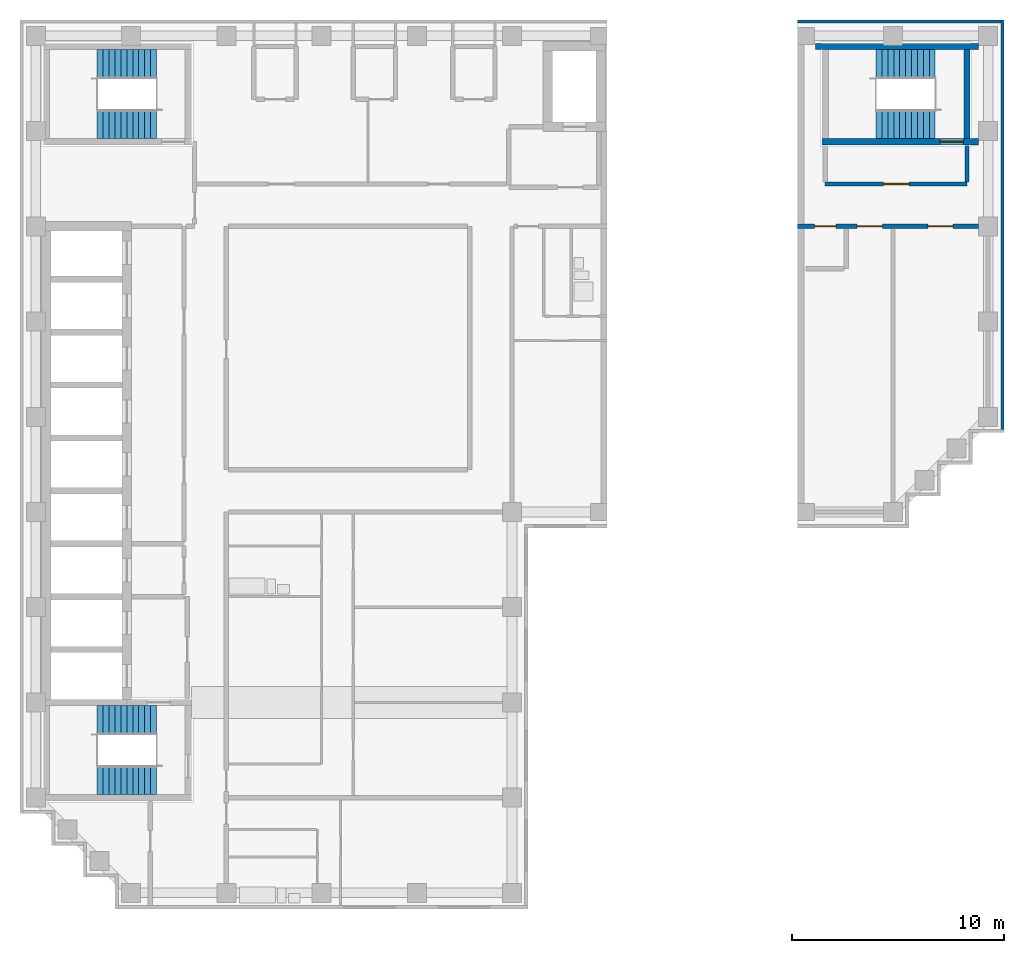
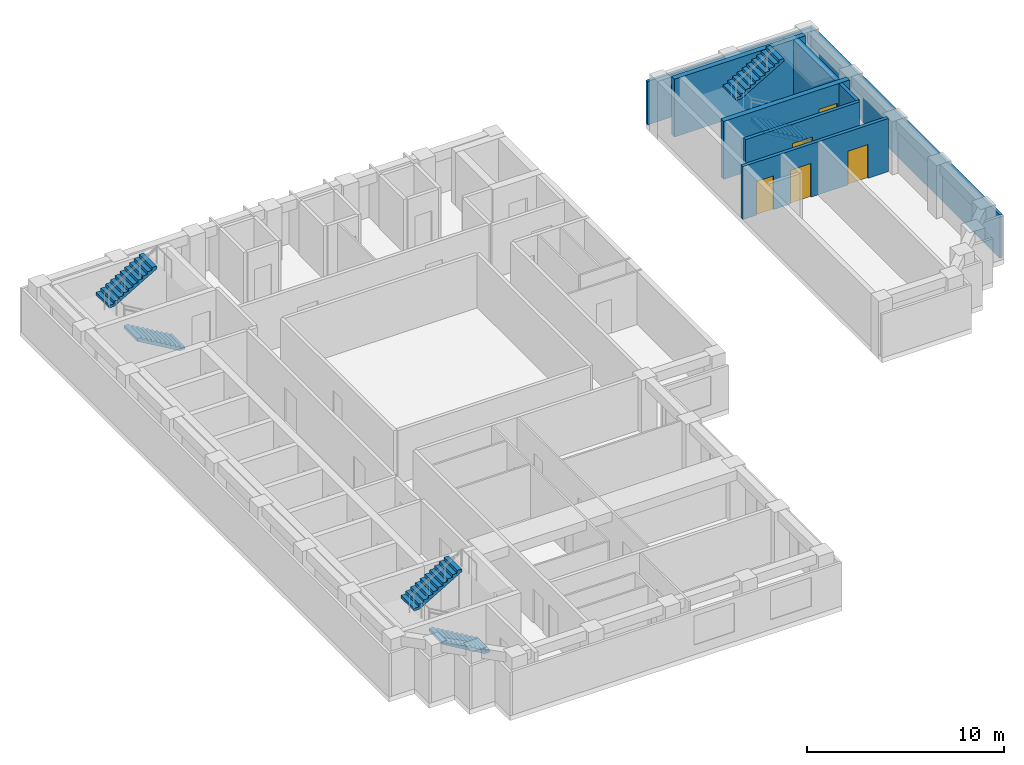
# One storey, part 5 of 7: 8 walls, 6 stair flights, 5 doors, 5 openings, 3 elements without a shape of their own.
"""IFC4 building model written with IfcOpenShell, lengths in metres."""

import ifcopenshell
import ifcopenshell.guid

model = None  # the IFC model being written
_history = None  # IfcOwnerHistory: only IFC2X3 demands one
_inside = {}  # id of a spatial element -> (the spatial element, [elements in it])
_under = {}  # id of a project, library or spatial element -> (it, [spatial elements below it])
_declared = {}  # id of a project -> (the project, [libraries it declares])
_typed = {}  # id of a type object -> (the type object, [elements of that type])
_made_of = {}  # id of a material, layer set ... -> (it, [elements and type objects made of it])


def new_model(schema):
    """Start an empty IFC model of exactly this schema.

    Asked for "IFC4X3", IfcOpenShell would pick the latest addendum, in which some entities
    have other attributes; the version numbers below select the first issue.
    IFC2X3 requires an IfcOwnerHistory on every rooted entity: one is made here for all.
    """
    global model, _history
    if schema == "IFC4X3":
        model = ifcopenshell.file(schema_version=(4, 3, 0, 0))
    else:
        model = ifcopenshell.file(schema=schema)
    _inside.clear()
    _under.clear()
    _declared.clear()
    _typed.clear()
    _made_of.clear()
    _history = None
    if model.schema == "IFC2X3":
        org = make("IfcOrganization", Name="unknown")
        user = make(
            "IfcPersonAndOrganization",
            ThePerson=make("IfcPerson", FamilyName="unknown"),
            TheOrganization=org,
        )
        app = make(
            "IfcApplication",
            ApplicationDeveloper=org,
            Version="unknown",
            ApplicationFullName="unknown",
            ApplicationIdentifier="unknown",
        )
        _history = make(
            "IfcOwnerHistory",
            OwningUser=user,
            OwningApplication=app,
            ChangeAction="ADDED",
            CreationDate=0,
        )
    return model


def make(cls, **values):
    """One entity of the class cls with the attributes given. An attribute that is None is left unset."""
    return model.create_entity(
        cls, **{name: value for name, value in values.items() if value is not None}
    )


def rooted(cls, **values):
    """An entity with a GlobalId (a new one), such as an element, a storey or a relation."""
    return make(cls, GlobalId=ifcopenshell.guid.new(), OwnerHistory=_history, **values)


def si_unit(unit_type, name, prefix=None):
    """IfcSIUnit, for example si_unit("LENGTHUNIT", "METRE", prefix="MILLI")."""
    return make("IfcSIUnit", UnitType=unit_type, Prefix=prefix, Name=name)


def assignment(units):
    """IfcUnitAssignment: the units of a project."""
    return None if units is None else make("IfcUnitAssignment", Units=units)


def point(xyz):
    """IfcCartesianPoint."""
    return None if xyz is None else make("IfcCartesianPoint", Coordinates=xyz)


def direction(xyz):
    """IfcDirection."""
    return None if xyz is None else make("IfcDirection", DirectionRatios=xyz)


def frame(location, z_axis=None, x_axis=None):
    """IfcAxis2Placement3D, a coordinate frame: its origin and axes. An axis left out is left unset."""
    return make(
        "IfcAxis2Placement3D",
        Location=point(location),
        Axis=direction(z_axis),
        RefDirection=direction(x_axis),
    )


def frame_2d(location, x_axis=None):
    """IfcAxis2Placement2D, a coordinate frame in the plane: its origin and x axis."""
    return make(
        "IfcAxis2Placement2D", Location=point(location), RefDirection=direction(x_axis)
    )


def origin():
    """The frame at (0, 0, 0) with its axes left unset."""
    return frame((0.0, 0.0, 0.0))


def place(relative_to, where):
    """IfcLocalPlacement: puts the frame where relative to a parent placement (None: the world)."""
    return make(
        "IfcLocalPlacement", PlacementRelTo=relative_to, RelativePlacement=where
    )


def context(
    kind, dimensions, precision=None, world=None, true_north=None, identifier=None
):
    """IfcGeometricRepresentationContext, for example the 3D "Model" context."""
    return make(
        "IfcGeometricRepresentationContext",
        ContextIdentifier=identifier,
        ContextType=kind,
        CoordinateSpaceDimension=dimensions,
        Precision=precision,
        WorldCoordinateSystem=world,
        TrueNorth=true_north,
    )


def subcontext(parent, identifier, kind, view, scale=None):
    """IfcGeometricRepresentationSubContext, for example "Body" below "Model"."""
    return make(
        "IfcGeometricRepresentationSubContext",
        ContextIdentifier=identifier,
        ContextType=kind,
        ParentContext=parent,
        TargetScale=scale,
        TargetView=view,
    )


def project(units=None, contexts=None):
    """IfcProject with its units and contexts."""
    return rooted(
        "IfcProject",
        Name="project",
        RepresentationContexts=contexts,
        UnitsInContext=assignment(units),
    )


def spatial(cls, under=None, at=None, **own):
    """A site, building, storey or space (cls), placed at a placement, below another one or the project."""
    s = rooted(cls, ObjectPlacement=at, **own)
    if under is not None:
        _under.setdefault(under.id(), (under, []))[1].append(s)
    return s


def polyline(points):
    """IfcPolyline through the points."""
    return make("IfcPolyline", Points=[point(p) for p in points])


def profile(cls, at=None, kind="AREA", **sizes):
    """A parametric profile (cls). Its sizes go by their IFC names, for example OverallWidth=200.0."""
    return make(cls, ProfileType=kind, Position=at, **sizes)


def rectangle(**sizes):
    """IfcRectangleProfileDef."""
    return profile("IfcRectangleProfileDef", **sizes)


def outline(outer, holes=None, kind="AREA"):
    """IfcArbitraryClosedProfileDef: a profile drawn as a closed curve; with holes, ...WithVoids."""
    if holes is None:
        return make("IfcArbitraryClosedProfileDef", ProfileType=kind, OuterCurve=outer)
    return make(
        "IfcArbitraryProfileDefWithVoids",
        ProfileType=kind,
        OuterCurve=outer,
        InnerCurves=holes,
    )


def extrude(swept, where, along, depth):
    """IfcExtrudedAreaSolid: the profile swept, set in the frame where, extruded along a direction by depth."""
    return make(
        "IfcExtrudedAreaSolid",
        SweptArea=swept,
        Position=where,
        ExtrudedDirection=direction(along),
        Depth=depth,
    )


def shape(context_of_items, identifier, shape_type, items):
    """IfcShapeRepresentation: the items that make up one representation, for example the "Body"."""
    return make(
        "IfcShapeRepresentation",
        ContextOfItems=context_of_items,
        RepresentationIdentifier=identifier,
        RepresentationType=shape_type,
        Items=items,
    )


def material(Name=None, Category=None):
    """IfcMaterial."""
    return make("IfcMaterial", Name=Name, Category=Category)


def layer(
    of_material, thickness, ventilated=None, Name=None, Category=None, Priority=None
):
    """IfcMaterialLayer: one layer of a wall or slab, of a material (None: an air gap)."""
    return make(
        "IfcMaterialLayer",
        Material=of_material,
        LayerThickness=thickness,
        IsVentilated=ventilated,
        Name=Name,
        Category=Category,
        Priority=Priority,
    )


def layer_set(layers, Name=None):
    """IfcMaterialLayerSet."""
    return make("IfcMaterialLayerSet", MaterialLayers=layers, LayerSetName=Name)


def made_of(thing, what):
    """Note that an element or type object is made of a material, layer set ...; save() writes the relation."""
    if what is not None:
        _made_of.setdefault(what.id(), (what, []))[1].append(thing)
    return thing


def type_object(cls, material=None, **own):
    """A type object (cls), such as IfcWallType, which elements share."""
    return made_of(rooted(cls, **own), material)


def element(
    cls,
    number,
    at=None,
    inside=None,
    cuts=None,
    type_object=None,
    material=None,
    context=None,
    identifier="Body",
    shape_type=None,
    held_by="IfcProductDefinitionShape",
    body=None,
    shapes=None,
    **own,
):
    """One element of the class cls, such as IfcWall. Its Tag is "e" and its number.

    at: its placement. inside: the storey or other place that contains it. cuts: it is an
    opening in that element (IfcRelVoidsElement). A single representation is given by context,
    identifier, shape_type and body (its items); several are given by shapes. held_by: the class
    of the entity that holds the representations. save() writes the other relations.
    """
    e = rooted(cls, Tag="e%d" % number, ObjectPlacement=at, **own)
    if body is not None:
        shapes = [shape(context, identifier, shape_type, body)]
    if shapes is not None:
        e.Representation = make(held_by, Representations=shapes)
    if inside is not None:
        _inside.setdefault(inside.id(), (inside, []))[1].append(e)
    if cuts is not None:
        rooted(
            "IfcRelVoidsElement", RelatingBuildingElement=cuts, RelatedOpeningElement=e
        )
    if type_object is not None:
        _typed.setdefault(type_object.id(), (type_object, []))[1].append(e)
    return made_of(e, material)


def fill(opening, filler):
    """IfcRelFillsElement: the door or window that sits in an opening."""
    return rooted(
        "IfcRelFillsElement",
        RelatingOpeningElement=opening,
        RelatedBuildingElement=filler,
    )


def aggregate(whole, parts):
    """IfcRelAggregates: a whole, such as a stair, and the parts it consists of."""
    return rooted("IfcRelAggregates", RelatingObject=whole, RelatedObjects=parts)


def save(model, path):
    """Write the relations noted so far, then the file.

    IfcRelAggregates (storeys below a building ...), IfcRelContainedInSpatialStructure (elements
    in a storey), IfcRelDefinesByType, IfcRelAssociatesMaterial and IfcRelDeclares: one each for
    every whole, place, type object, material and project.
    """
    for whole, parts in _under.values():
        aggregate(whole, parts)
    for where, things in _inside.values():
        rooted(
            "IfcRelContainedInSpatialStructure",
            RelatedElements=things,
            RelatingStructure=where,
        )
    for kind, things in _typed.values():
        rooted("IfcRelDefinesByType", RelatedObjects=things, RelatingType=kind)
    for what, things in _made_of.values():
        rooted("IfcRelAssociatesMaterial", RelatedObjects=things, RelatingMaterial=what)
    for by, libraries in _declared.values():
        rooted("IfcRelDeclares", RelatingContext=by, RelatedDefinitions=libraries)
    model.write(path)


model = new_model("IFC4")

# Units and contexts
model_context = context("Model", 3, precision=1e-05, world=origin(), true_north=direction((0.0, 1.0)))
body_context = subcontext(model_context, "Body", "Model", "MODEL_VIEW")
ifc_project = project(units=[si_unit("LENGTHUNIT", "METRE"), si_unit("AREAUNIT", "SQUARE_METRE"), si_unit("VOLUMEUNIT", "CUBIC_METRE"), si_unit("PLANEANGLEUNIT", "RADIAN"), si_unit("MASSUNIT", "GRAM", prefix="KILO")], contexts=[model_context])

# Site, building, storey
site_placement = place(None, origin())
site = spatial("IfcSite", under=ifc_project, at=site_placement, CompositionType="ELEMENT")
building_placement = place(site_placement, origin())
building = spatial("IfcBuilding", under=site, at=building_placement, Name="Firuza Court", CompositionType="ELEMENT")
storey_placement = place(building_placement, frame((0.0, 0.0, 243.800048828125)))
storey = spatial("IfcBuildingStorey", under=building, at=storey_placement, Name="L63", CompositionType="ELEMENT", Elevation=243.800048828125)

# Wall
ifc_material_1 = material(Name="Concrete C50/60", Category="concrete")
ifc_layer_1 = layer(ifc_material_1, 0.300048828125)
ifc_layer_set_1 = layer_set([ifc_layer_1], Name="Concrete C50/60")
wall_type_1 = type_object("IfcWallType", Name="Core wall 300 C50/60", PredefinedType="SHEAR", material=ifc_layer_set_1)
wall_1_placement = place(storey_placement, frame((36.85009765625, 58.0, -0.300048828125), z_axis=(0.0, 0.0, 1.0), x_axis=(1.0, 0.0, 0.0)))
element("IfcWall", 1, at=wall_1_placement, inside=storey, type_object=wall_type_1, Name="Core wall stair L63", PredefinedType="SHEAR", context=body_context, shape_type="SweptSolid", body=[
    extrude(rectangle(XDim=7.699951171875, YDim=0.300048828125, at=frame_2d((3.85009765625, 0.0))), origin(), (0.0, 0.0, 1.0), 3.60009765625),
])

# Wall, opening, door
wall_2_placement = place(storey_placement, frame((37.14990234375, 53.5, -0.300048828125), z_axis=(0.0, 0.0, 1.0), x_axis=(1.0, 0.0, 0.0)))
wall_2 = element("IfcWall", 2, at=wall_2_placement, inside=storey, type_object=wall_type_1, Name="Core wall stair L63", PredefinedType="SHEAR", context=body_context, shape_type="SweptSolid", body=[
    extrude(rectangle(XDim=7.400146484375, YDim=0.300048828125, at=frame_2d((3.7001953125, 0.0))), origin(), (0.0, 0.0, 1.0), 3.60009765625),
])
opening_1_placement = place(wall_2_placement, frame((5.580078125, 0.0, 0.300048828125)))
opening_1 = element("IfcOpeningElement", 3, at=opening_1_placement, cuts=wall_2, Name="Opening D63008", PredefinedType="OPENING", context=body_context, shape_type="SweptSolid", body=[
    extrude(rectangle(XDim=1.10009765625, YDim=2.10009765625, at=frame_2d((0.550048828125, 1.050048828125))), frame((0.0, 0.162109375, 0.0), z_axis=(0.0, -1.0, 0.0), x_axis=(1.0, 0.0, 0.0)), (0.0, 0.0, 1.0), 0.323974609375),
])
ifc_material_2 = material(Name="Timber door leaf in hardwood frame", Category="wood")
door_type_1 = type_object("IfcDoorType", Name="Stair door 1100", OperationType="SINGLE_SWING_LEFT", PredefinedType="DOOR", material=ifc_material_2)
door_1_placement = place(opening_1_placement, origin())
door_1 = element("IfcDoor", 4, at=door_1_placement, inside=storey, type_object=door_type_1, Name="Stair door S1", OperationType="SINGLE_SWING_RIGHT", OverallHeight=2.10009765625, OverallWidth=1.10009765625, PredefinedType="DOOR", context=body_context, shape_type="SweptSolid", body=[
    extrude(rectangle(XDim=1.10009765625, YDim=2.10009765625, at=frame_2d((0.550048828125, 1.050048828125))), frame((0.0, 0.02490234375, 0.0), z_axis=(0.0, -1.0, 0.0), x_axis=(1.0, 0.0, 0.0)), (0.0, 0.0, 1.0), 0.050048828125),
])
fill(opening_1, door_1)

# Wall
wall_3_placement = place(storey_placement, frame((44.0, 53.64990234375, -0.300048828125), z_axis=(0.0, 0.0, 1.0), x_axis=(0.0, 1.0, 0.0)))
element("IfcWall", 5, at=wall_3_placement, inside=storey, type_object=wall_type_1, Name="Core wall stair L63", PredefinedType="SHEAR", context=body_context, shape_type="SweptSolid", body=[
    extrude(rectangle(XDim=4.2001953125, YDim=0.300048828125, at=frame_2d((2.10009765625, 0.0))), origin(), (0.0, 0.0, 1.0), 3.60009765625),
])

# Wall, openings, doors
ifc_material_3 = material(Name="Blockwork, plastered both sides", Category="masonry")
ifc_layer_2 = layer(ifc_material_3, 0.199951171875)
ifc_layer_set_2 = layer_set([ifc_layer_2], Name="Blockwork, plastered both sides")
wall_type_2 = type_object("IfcWallType", Name="Corridor wall 200", PredefinedType="PARTITIONING", material=ifc_layer_set_2)
wall_4_placement = place(storey_placement, frame((36.0, 49.5, 0.0), z_axis=(0.0, 0.0, 1.0), x_axis=(1.0, 0.0, 0.0)))
wall_4 = element("IfcWall", 6, at=wall_4_placement, inside=storey, type_object=wall_type_2, Name="Corridor wall 200 L63", PredefinedType="PARTITIONING", context=body_context, shape_type="SweptSolid", body=[
    extrude(rectangle(XDim=8.550048828125, YDim=0.199951171875, at=frame_2d((4.27490234375, 0.0))), origin(), (0.0, 0.0, 1.0), 3.300048828125),
])
opening_2_placement = place(wall_4_placement, frame((2.800048828125, 0.0, 0.0)))
opening_2 = element("IfcOpeningElement", 7, at=opening_2_placement, cuts=wall_4, Name="Opening D63029", PredefinedType="OPENING", context=body_context, shape_type="SweptSolid", body=[
    extrude(rectangle(XDim=1.199951171875, YDim=2.10009765625, at=frame_2d((0.60009765625, 1.050048828125))), frame((0.0, 0.11181640625, 0.0), z_axis=(0.0, -1.0, 0.0), x_axis=(1.0, 0.0, 0.0)), (0.0, 0.0, 1.0), 0.223876953125),
])
opening_3_placement = place(wall_4_placement, frame((6.14990234375, 0.0, 0.0)))
opening_3 = element("IfcOpeningElement", 8, at=opening_3_placement, cuts=wall_4, Name="Opening D63030", PredefinedType="OPENING", context=body_context, shape_type="SweptSolid", body=[
    extrude(rectangle(XDim=1.199951171875, YDim=2.10009765625, at=frame_2d((0.60009765625, 1.050048828125))), frame((0.0, 0.11181640625, 0.0), z_axis=(0.0, -1.0, 0.0), x_axis=(1.0, 0.0, 0.0)), (0.0, 0.0, 1.0), 0.223876953125),
])
opening_4_placement = place(wall_4_placement, frame((0.800048828125, 0.0, 0.0)))
opening_4 = element("IfcOpeningElement", 9, at=opening_4_placement, cuts=wall_4, Name="Opening D63031", PredefinedType="OPENING", context=body_context, shape_type="SweptSolid", body=[
    extrude(rectangle(XDim=1.0, YDim=2.10009765625, at=frame_2d((0.5, 1.050048828125))), frame((0.0, 0.11181640625, 0.0), z_axis=(0.0, -1.0, 0.0), x_axis=(1.0, 0.0, 0.0)), (0.0, 0.0, 1.0), 0.223876953125),
])
ifc_material_4 = material(Name="Timber door leaf in hardwood frame", Category="wood")
door_type_2 = type_object("IfcDoorType", Name="Plant room door 1200", OperationType="SINGLE_SWING_LEFT", PredefinedType="DOOR", material=ifc_material_4)
door_2_placement = place(opening_2_placement, frame((1.199951171875, 0.0, 0.0), z_axis=(0.0, 0.0, 1.0), x_axis=(-1.0, 0.0, 0.0)))
door_2 = element("IfcDoor", 10, at=door_2_placement, inside=storey, type_object=door_type_2, Name="Plant door", OperationType="SINGLE_SWING_RIGHT", OverallHeight=2.10009765625, OverallWidth=1.199951171875, PredefinedType="DOOR", context=body_context, shape_type="SweptSolid", body=[
    extrude(rectangle(XDim=1.199951171875, YDim=2.10009765625, at=frame_2d((0.60009765625, 1.050048828125))), frame((0.0, 0.02490234375, 0.0), z_axis=(0.0, -1.0, 0.0), x_axis=(1.0, 0.0, 0.0)), (0.0, 0.0, 1.0), 0.050048828125),
])
fill(opening_2, door_2)
door_3_placement = place(opening_3_placement, frame((1.199951171875, 0.0, 0.0), z_axis=(0.0, 0.0, 1.0), x_axis=(-1.0, 0.0, 0.0)))
door_3 = element("IfcDoor", 11, at=door_3_placement, inside=storey, type_object=door_type_2, Name="Plant door", OperationType="SINGLE_SWING_LEFT", OverallHeight=2.10009765625, OverallWidth=1.199951171875, PredefinedType="DOOR", context=body_context, shape_type="SweptSolid", body=[
    extrude(rectangle(XDim=1.199951171875, YDim=2.10009765625, at=frame_2d((0.60009765625, 1.050048828125))), frame((0.0, 0.02490234375, 0.0), z_axis=(0.0, -1.0, 0.0), x_axis=(1.0, 0.0, 0.0)), (0.0, 0.0, 1.0), 0.050048828125),
])
fill(opening_3, door_3)
ifc_material_5 = material(Name="Timber door leaf in hardwood frame", Category="wood")
door_type_3 = type_object("IfcDoorType", Name="Riser door 1000", OperationType="SINGLE_SWING_LEFT", PredefinedType="DOOR", material=ifc_material_5)
door_4_placement = place(opening_4_placement, frame((1.0, 0.0, 0.0), z_axis=(0.0, 0.0, 1.0), x_axis=(-1.0, 0.0, 0.0)))
door_4 = element("IfcDoor", 12, at=door_4_placement, inside=storey, type_object=door_type_3, Name="Comms riser door", OperationType="SINGLE_SWING_RIGHT", OverallHeight=2.10009765625, OverallWidth=1.0, PredefinedType="DOOR", context=body_context, shape_type="SweptSolid", body=[
    extrude(rectangle(XDim=1.0, YDim=2.10009765625, at=frame_2d((0.5, 1.050048828125))), frame((0.0, 0.02490234375, 0.0), z_axis=(0.0, -1.0, 0.0), x_axis=(1.0, 0.0, 0.0)), (0.0, 0.0, 1.0), 0.050048828125),
])
fill(opening_4, door_4)

# Walls
ifc_material_6 = material(Name="Ceramic tile", Category="ceramic")
ifc_layer_3 = layer(ifc_material_6, 0.02001953125)
ifc_material_7 = material(Name="Mineral wool insulation", Category="insulation")
ifc_layer_4 = layer(ifc_material_7, 0.050048828125)
ifc_material_8 = material(Name="Concrete C40/50 precast", Category="concrete")
ifc_layer_5 = layer(ifc_material_8, 0.080078125)
ifc_layer_set_3 = layer_set([ifc_layer_3, ifc_layer_4, ifc_layer_5], Name="Concrete C40/50 precast")
wall_type_3 = type_object("IfcWallType", Name="Precast cladding wall with turquoise TILE PANEL face 150", PredefinedType="STANDARD", material=ifc_layer_set_3)
wall_5_placement = place(storey_placement, frame((45.675048828125, 39.89990234375, 0.0), z_axis=(0.0, 0.0, 1.0), x_axis=(0.0, 1.0, 0.0)))
element("IfcWall", 13, at=wall_5_placement, inside=storey, type_object=wall_type_3, Name="Facade wall L63 E", PredefinedType="STANDARD", context=body_context, shape_type="SweptSolid", body=[
    extrude(rectangle(XDim=19.35009765625, YDim=0.14990234375, at=frame_2d((9.675048828125, 0.0))), origin(), (0.0, 0.0, 1.0), 2.699951171875),
])
wall_6_placement = place(storey_placement, frame((45.60009765625, 59.175048828125, 0.0), z_axis=(0.0, 0.0, 1.0), x_axis=(-1.0, 0.0, 0.0)))
element("IfcWall", 14, at=wall_6_placement, inside=storey, type_object=wall_type_3, Name="Facade wall L63 N", PredefinedType="STANDARD", context=body_context, shape_type="SweptSolid", body=[
    extrude(rectangle(XDim=9.60009765625, YDim=0.14990234375, at=frame_2d((4.800048828125, 0.0))), origin(), (0.0, 0.0, 1.0), 2.699951171875),
])

# Wall, opening, door
ifc_material_9 = material(Name="Blockwork, fire-rated", Category="masonry")
ifc_layer_6 = layer(ifc_material_9, 0.199951171875)
ifc_layer_set_4 = layer_set([ifc_layer_6], Name="Blockwork, fire-rated")
wall_type_4 = type_object("IfcWallType", Name="Shaft wall 200", PredefinedType="PARTITIONING", material=ifc_layer_set_4)
wall_7_placement = place(storey_placement, frame((37.300048828125, 51.5, 0.0), z_axis=(0.0, 0.0, 1.0), x_axis=(1.0, 0.0, 0.0)))
wall_7 = element("IfcWall", 15, at=wall_7_placement, inside=storey, type_object=wall_type_4, Name="Shaft wall 200 L63", PredefinedType="PARTITIONING", context=body_context, shape_type="SweptSolid", body=[
    extrude(rectangle(XDim=6.699951171875, YDim=0.199951171875, at=frame_2d((3.35009765625, 0.0))), origin(), (0.0, 0.0, 1.0), 3.300048828125),
])
opening_5_placement = place(wall_7_placement, frame((2.75, 0.0, 0.0)))
opening_5 = element("IfcOpeningElement", 16, at=opening_5_placement, cuts=wall_7, Name="Opening D63006", PredefinedType="OPENING", context=body_context, shape_type="SweptSolid", body=[
    extrude(rectangle(XDim=1.199951171875, YDim=2.10009765625, at=frame_2d((0.60009765625, 1.050048828125))), frame((0.0, 0.11181640625, 0.0), z_axis=(0.0, -1.0, 0.0), x_axis=(1.0, 0.0, 0.0)), (0.0, 0.0, 1.0), 0.223876953125),
])
ifc_material_10 = material(Name="Timber door leaf in hardwood frame", Category="wood")
door_type_4 = type_object("IfcDoorType", Name="Lobby door 1200", OperationType="SINGLE_SWING_LEFT", PredefinedType="DOOR", material=ifc_material_10)
door_5_placement = place(opening_5_placement, origin())
door_5 = element("IfcDoor", 17, at=door_5_placement, inside=storey, type_object=door_type_4, Name="Lobby door", OperationType="SINGLE_SWING_LEFT", OverallHeight=2.10009765625, OverallWidth=1.199951171875, PredefinedType="DOOR", context=body_context, shape_type="SweptSolid", body=[
    extrude(rectangle(XDim=1.199951171875, YDim=2.10009765625, at=frame_2d((0.60009765625, 1.050048828125))), frame((0.0, 0.02490234375, 0.0), z_axis=(0.0, -1.0, 0.0), x_axis=(1.0, 0.0, 0.0)), (0.0, 0.0, 1.0), 0.050048828125),
])
fill(opening_5, door_5)

# Wall
wall_8_placement = place(storey_placement, frame((44.0, 51.60009765625, 0.0), z_axis=(0.0, 0.0, 1.0), x_axis=(0.0, 1.0, 0.0)))
element("IfcWall", 18, at=wall_8_placement, inside=storey, type_object=wall_type_4, Name="Shaft wall 200 L63", PredefinedType="PARTITIONING", context=body_context, shape_type="SweptSolid", body=[
    extrude(rectangle(XDim=1.72998046875, YDim=0.199951171875, at=frame_2d((0.864990234375, 0.0))), origin(), (0.0, 0.0, 1.0), 3.300048828125),
])

# Stair, stair flights
ifc_material_11 = material(Name="Concrete C40/50 precast", Category="concrete")
stair_type = type_object("IfcStairType", Name="Stair 1350 x 3600 2 flights", PredefinedType="HALF_TURN_STAIR", material=ifc_material_11)
stair_1_placement = place(storey_placement, origin())
stair_1 = element("IfcStair", 19, at=stair_1_placement, inside=storey, type_object=stair_type, Name="Stair 1 L63", PredefinedType="HALF_TURN_STAIR")
ifc_material_12 = material(Name="Concrete C40/50 precast", Category="concrete")
stair_flight_type = type_object("IfcStairFlightType", Name="Flight 1350 riser 163.6", PredefinedType="STRAIGHT", material=ifc_material_12)
stair_flight_1_placement = place(storey_placement, frame((42.5, 54.324951171875, 0.0), z_axis=(0.0, 0.0, 1.0), x_axis=(-1.0, 0.0, 0.0)))
stair_flight_1 = element("IfcStairFlight", 20, at=stair_flight_1_placement, type_object=stair_flight_type, Name="S1 flight 1", NumberOfRisers=11, NumberOfTreads=10, PredefinedType="STRAIGHT", RiserHeight=0.163636364, TreadLength=0.28, context=body_context, shape_type="SweptSolid", body=[
    extrude(outline(polyline([(0.0, 0.0), (0.0, 0.16357421875), (0.280029296875, 0.16357421875), (0.280029296875, 0.327392578125), (0.56005859375, 0.327392578125), (0.56005859375, 0.490966796875), (0.840087890625, 0.490966796875), (0.840087890625, 0.654541015625), (1.1201171875, 0.654541015625), (1.1201171875, 0.818115234375), (1.39990234375, 0.818115234375), (1.39990234375, 0.98193359375), (1.679931640625, 0.98193359375), (1.679931640625, 1.1455078125), (1.9599609375, 1.1455078125), (1.9599609375, 1.30908203125), (2.239990234375, 1.30908203125), (2.239990234375, 1.47265625), (2.52001953125, 1.47265625), (2.52001953125, 1.636474609375), (2.800048828125, 1.636474609375), (2.800048828125, 1.800048828125), (2.800048828125, 1.462646484375), (0.297119140625, 0.0), (0.0, 0.0)])), frame((0.0, 0.675048828125, 0.0), z_axis=(0.0, -1.0, 0.0), x_axis=(1.0, 0.0, 0.0)), (0.0, 0.0, 1.0), 1.35009765625),
])
stair_flight_2_placement = place(storey_placement, frame((39.699951171875, 57.175048828125, 1.800048828125), z_axis=(0.0, 0.0, 1.0), x_axis=(1.0, 0.0, 0.0)))
stair_flight_2 = element("IfcStairFlight", 21, at=stair_flight_2_placement, type_object=stair_flight_type, Name="S1 flight 2", NumberOfRisers=11, NumberOfTreads=10, PredefinedType="STRAIGHT", RiserHeight=0.163636364, TreadLength=0.28, context=body_context, shape_type="SweptSolid", body=[
    extrude(outline(polyline([(0.0, 0.0), (0.0, 0.16357421875), (0.280029296875, 0.16357421875), (0.280029296875, 0.327392578125), (0.56005859375, 0.327392578125), (0.56005859375, 0.490966796875), (0.840087890625, 0.490966796875), (0.840087890625, 0.654541015625), (1.1201171875, 0.654541015625), (1.1201171875, 0.818115234375), (1.39990234375, 0.818115234375), (1.39990234375, 0.98193359375), (1.679931640625, 0.98193359375), (1.679931640625, 1.1455078125), (1.9599609375, 1.1455078125), (1.9599609375, 1.30908203125), (2.239990234375, 1.30908203125), (2.239990234375, 1.47265625), (2.52001953125, 1.47265625), (2.52001953125, 1.636474609375), (2.800048828125, 1.636474609375), (2.800048828125, 1.800048828125), (2.800048828125, 1.462646484375), (0.297119140625, 0.0), (0.0, 0.0)])), frame((0.0, 0.675048828125, 0.0), z_axis=(0.0, -1.0, 0.0), x_axis=(1.0, 0.0, 0.0)), (0.0, 0.0, 1.0), 1.35009765625),
])
aggregate(stair_1, [stair_flight_1, stair_flight_2])

stair_2_placement = place(storey_placement, origin())
stair_2 = element("IfcStair", 22, at=stair_2_placement, inside=storey, type_object=stair_type, Name="Stair 2 L63", PredefinedType="HALF_TURN_STAIR")
stair_flight_3_placement = place(storey_placement, frame((5.699951171875, 23.324951171875, 0.0), z_axis=(0.0, 0.0, 1.0), x_axis=(-1.0, 0.0, 0.0)))
stair_flight_3 = element("IfcStairFlight", 23, at=stair_flight_3_placement, type_object=stair_flight_type, Name="S2 flight 1", NumberOfRisers=11, NumberOfTreads=10, PredefinedType="STRAIGHT", RiserHeight=0.163636364, TreadLength=0.28, context=body_context, shape_type="SweptSolid", body=[
    extrude(outline(polyline([(0.0, 0.0), (0.0, 0.16357421875), (0.280029296875, 0.16357421875), (0.280029296875, 0.327392578125), (0.56005859375, 0.327392578125), (0.56005859375, 0.490966796875), (0.840087890625, 0.490966796875), (0.840087890625, 0.654541015625), (1.1201171875, 0.654541015625), (1.1201171875, 0.818115234375), (1.39990234375, 0.818115234375), (1.39990234375, 0.98193359375), (1.679931640625, 0.98193359375), (1.679931640625, 1.1455078125), (1.9599609375, 1.1455078125), (1.9599609375, 1.30908203125), (2.239990234375, 1.30908203125), (2.239990234375, 1.47265625), (2.52001953125, 1.47265625), (2.52001953125, 1.636474609375), (2.800048828125, 1.636474609375), (2.800048828125, 1.800048828125), (2.800048828125, 1.462646484375), (0.297119140625, 0.0), (0.0, 0.0)])), frame((0.0, 0.675048828125, 0.0), z_axis=(0.0, -1.0, 0.0), x_axis=(1.0, 0.0, 0.0)), (0.0, 0.0, 1.0), 1.35009765625),
])
stair_flight_4_placement = place(storey_placement, frame((2.89990234375, 26.175048828125, 1.800048828125), z_axis=(0.0, 0.0, 1.0), x_axis=(1.0, 0.0, 0.0)))
stair_flight_4 = element("IfcStairFlight", 24, at=stair_flight_4_placement, type_object=stair_flight_type, Name="S2 flight 2", NumberOfRisers=11, NumberOfTreads=10, PredefinedType="STRAIGHT", RiserHeight=0.163636364, TreadLength=0.28, context=body_context, shape_type="SweptSolid", body=[
    extrude(outline(polyline([(0.0, 0.0), (0.0, 0.16357421875), (0.280029296875, 0.16357421875), (0.280029296875, 0.327392578125), (0.56005859375, 0.327392578125), (0.56005859375, 0.490966796875), (0.840087890625, 0.490966796875), (0.840087890625, 0.654541015625), (1.1201171875, 0.654541015625), (1.1201171875, 0.818115234375), (1.39990234375, 0.818115234375), (1.39990234375, 0.98193359375), (1.679931640625, 0.98193359375), (1.679931640625, 1.1455078125), (1.9599609375, 1.1455078125), (1.9599609375, 1.30908203125), (2.239990234375, 1.30908203125), (2.239990234375, 1.47265625), (2.52001953125, 1.47265625), (2.52001953125, 1.636474609375), (2.800048828125, 1.636474609375), (2.800048828125, 1.800048828125), (2.800048828125, 1.462646484375), (0.297119140625, 0.0), (0.0, 0.0)])), frame((0.0, 0.675048828125, 0.0), z_axis=(0.0, -1.0, 0.0), x_axis=(1.0, 0.0, 0.0)), (0.0, 0.0, 1.0), 1.35009765625),
])
aggregate(stair_2, [stair_flight_3, stair_flight_4])

stair_3_placement = place(storey_placement, origin())
stair_3 = element("IfcStair", 25, at=stair_3_placement, inside=storey, type_object=stair_type, Name="Stair 3 L63", PredefinedType="HALF_TURN_STAIR")
stair_flight_5_placement = place(storey_placement, frame((5.699951171875, 54.324951171875, 0.0), z_axis=(0.0, 0.0, 1.0), x_axis=(-1.0, 0.0, 0.0)))
stair_flight_5 = element("IfcStairFlight", 26, at=stair_flight_5_placement, type_object=stair_flight_type, Name="S3 flight 1", NumberOfRisers=11, NumberOfTreads=10, PredefinedType="STRAIGHT", RiserHeight=0.163636364, TreadLength=0.28, context=body_context, shape_type="SweptSolid", body=[
    extrude(outline(polyline([(0.0, 0.0), (0.0, 0.16357421875), (0.280029296875, 0.16357421875), (0.280029296875, 0.327392578125), (0.56005859375, 0.327392578125), (0.56005859375, 0.490966796875), (0.840087890625, 0.490966796875), (0.840087890625, 0.654541015625), (1.1201171875, 0.654541015625), (1.1201171875, 0.818115234375), (1.39990234375, 0.818115234375), (1.39990234375, 0.98193359375), (1.679931640625, 0.98193359375), (1.679931640625, 1.1455078125), (1.9599609375, 1.1455078125), (1.9599609375, 1.30908203125), (2.239990234375, 1.30908203125), (2.239990234375, 1.47265625), (2.52001953125, 1.47265625), (2.52001953125, 1.636474609375), (2.800048828125, 1.636474609375), (2.800048828125, 1.800048828125), (2.800048828125, 1.462646484375), (0.297119140625, 0.0), (0.0, 0.0)])), frame((0.0, 0.675048828125, 0.0), z_axis=(0.0, -1.0, 0.0), x_axis=(1.0, 0.0, 0.0)), (0.0, 0.0, 1.0), 1.35009765625),
])
stair_flight_6_placement = place(storey_placement, frame((2.89990234375, 57.175048828125, 1.800048828125), z_axis=(0.0, 0.0, 1.0), x_axis=(1.0, 0.0, 0.0)))
stair_flight_6 = element("IfcStairFlight", 27, at=stair_flight_6_placement, type_object=stair_flight_type, Name="S3 flight 2", NumberOfRisers=11, NumberOfTreads=10, PredefinedType="STRAIGHT", RiserHeight=0.163636364, TreadLength=0.28, context=body_context, shape_type="SweptSolid", body=[
    extrude(outline(polyline([(0.0, 0.0), (0.0, 0.16357421875), (0.280029296875, 0.16357421875), (0.280029296875, 0.327392578125), (0.56005859375, 0.327392578125), (0.56005859375, 0.490966796875), (0.840087890625, 0.490966796875), (0.840087890625, 0.654541015625), (1.1201171875, 0.654541015625), (1.1201171875, 0.818115234375), (1.39990234375, 0.818115234375), (1.39990234375, 0.98193359375), (1.679931640625, 0.98193359375), (1.679931640625, 1.1455078125), (1.9599609375, 1.1455078125), (1.9599609375, 1.30908203125), (2.239990234375, 1.30908203125), (2.239990234375, 1.47265625), (2.52001953125, 1.47265625), (2.52001953125, 1.636474609375), (2.800048828125, 1.636474609375), (2.800048828125, 1.800048828125), (2.800048828125, 1.462646484375), (0.297119140625, 0.0), (0.0, 0.0)])), frame((0.0, 0.675048828125, 0.0), z_axis=(0.0, -1.0, 0.0), x_axis=(1.0, 0.0, 0.0)), (0.0, 0.0, 1.0), 1.35009765625),
])
aggregate(stair_3, [stair_flight_5, stair_flight_6])

save(model, "model.ifc")
